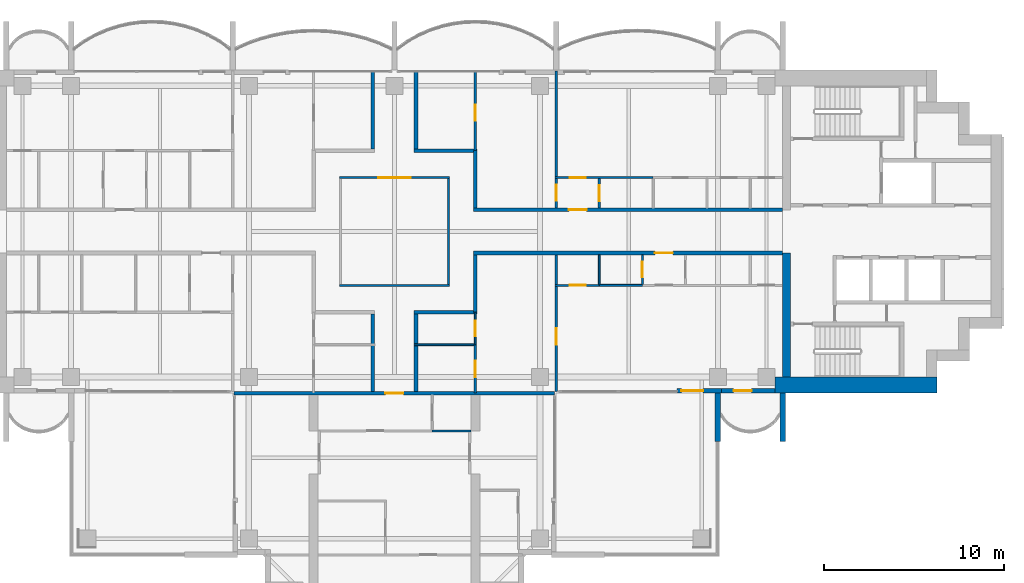
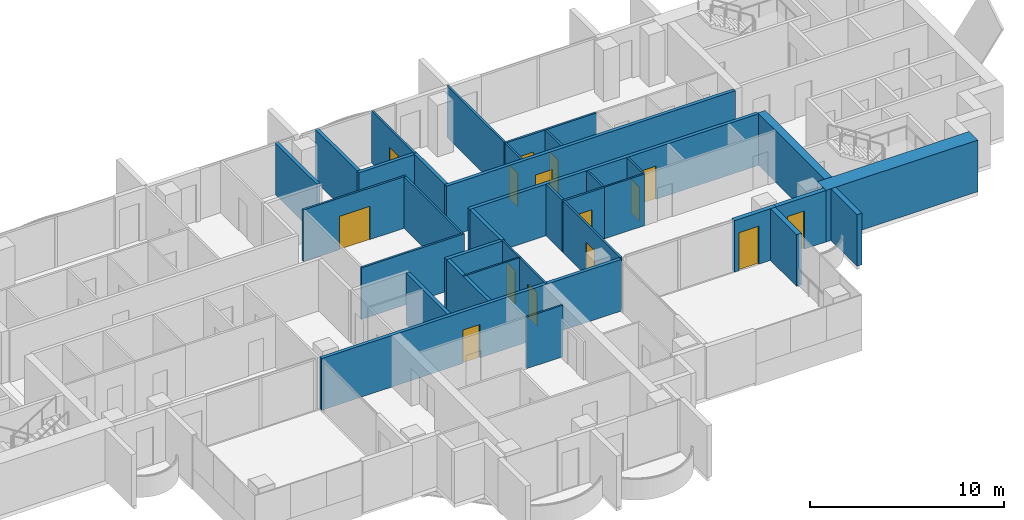
# One storey, part 11 of 17: 33 walls, 15 doors, 15 openings.
"""IFC4 building model written with IfcOpenShell, lengths in metres."""

from ifc_helpers import new_model, si_unit, direction, frame, frame_2d, origin, place, context, subcontext, project, spatial, rectangle, extrude, material, layer, layer_set, type_object, element, fill, save


model = new_model("IFC4")

# Units and contexts
model_context = context("Model", 3, precision=1e-05, world=origin(), true_north=direction((0.0, 1.0)))
body_context = subcontext(model_context, "Body", "Model", "MODEL_VIEW")
ifc_project = project(units=[si_unit("LENGTHUNIT", "METRE"), si_unit("AREAUNIT", "SQUARE_METRE"), si_unit("VOLUMEUNIT", "CUBIC_METRE"), si_unit("PLANEANGLEUNIT", "RADIAN"), si_unit("MASSUNIT", "GRAM", prefix="KILO")], contexts=[model_context])

# Site, building, storey
site_placement = place(None, origin())
site = spatial("IfcSite", under=ifc_project, at=site_placement, CompositionType="ELEMENT")
building_placement = place(site_placement, origin())
building = spatial("IfcBuilding", under=site, at=building_placement, Name="Perihelion Cross Residences", CompositionType="ELEMENT")
storey_placement = place(building_placement, frame((0.0, 0.0, 191.10009765625)))
storey = spatial("IfcBuildingStorey", under=building, at=storey_placement, Name="L47", CompositionType="ELEMENT", Elevation=191.10009765625)

# Wall, opening, door
ifc_material_1 = material(Name="Plasterboard partition")
ifc_layer_1 = layer(ifc_material_1, 0.199951171875)
ifc_layer_set_1 = layer_set([ifc_layer_1], Name="Apartment separation wall 200")
wall_type_1 = type_object("IfcWallType", Name="Apartment separation wall 200", PredefinedType="PARTITIONING", material=ifc_layer_set_1)
wall_1_placement = place(storey_placement, frame((4.39990234375, 1.199951171875, 0.0), z_axis=(0.0, 0.0, 1.0), x_axis=(1.0, 0.0, 0.0)))
wall_1 = element("IfcWall", 1, at=wall_1_placement, inside=storey, type_object=wall_type_1, Name="Partition L47 W005", PredefinedType="PARTITIONING", context=body_context, shape_type="SweptSolid", body=[
    extrude(rectangle(XDim=17.2001953125, YDim=0.199951171875, at=frame_2d((8.60009765625, 0.0))), origin(), (0.0, 0.0, 1.0), 3.25),
])
opening_1_placement = place(wall_1_placement, frame((5.300048828125, 0.0, 0.0)))
opening_1 = element("IfcOpeningElement", 2, at=opening_1_placement, cuts=wall_1, Name="Opening L47.A38", PredefinedType="OPENING", context=body_context, shape_type="SweptSolid", body=[
    extrude(rectangle(XDim=1.0, YDim=2.10009765625, at=frame_2d((0.5, 1.050048828125))), frame((0.0, 0.10986328125, 0.0), z_axis=(0.0, -1.0, 0.0), x_axis=(1.0, 0.0, 0.0)), (0.0, 0.0, 1.0), 0.219970703125),
])
ifc_material_2 = material(Name="Timber door leaf", Category="wood")
door_type_1 = type_object("IfcDoorType", Name="Flat entrance door 1000 x 2100", OperationType="SINGLE_SWING_LEFT", PredefinedType="DOOR", material=ifc_material_2)
door_1_placement = place(opening_1_placement, origin())
door_1 = element("IfcDoor", 3, at=door_1_placement, inside=storey, type_object=door_type_1, Name="Door L47.A38", OperationType="SINGLE_SWING_LEFT", OverallHeight=2.10009765625, OverallWidth=1.0, PredefinedType="DOOR", context=body_context, shape_type="SweptSolid", body=[
    extrude(rectangle(XDim=1.0, YDim=2.10009765625, at=frame_2d((0.5, 1.050048828125))), frame((0.0, 0.02490234375, 0.0), z_axis=(0.0, -1.0, 0.0), x_axis=(1.0, 0.0, 0.0)), (0.0, 0.0, 1.0), 0.050048828125),
])
fill(opening_1, door_1)

# Walls
wall_2_placement = place(storey_placement, frame((4.5, 4.5, 0.0), z_axis=(0.0, 0.0, 1.0), x_axis=(0.0, -1.0, 0.0)))
element("IfcWall", 4, at=wall_2_placement, inside=storey, type_object=wall_type_1, Name="Partition L47 W006", PredefinedType="PARTITIONING", context=body_context, shape_type="SweptSolid", body=[
    extrude(rectangle(XDim=3.199951171875, YDim=0.199951171875, at=frame_2d((1.60009765625, 0.0))), origin(), (0.0, 0.0, 1.0), 3.25),
])
wall_3_placement = place(storey_placement, frame((1.199951171875, 8.919921875, 0.0), z_axis=(0.0, 0.0, 1.0), x_axis=(0.0, -1.0, 0.0)))
element("IfcWall", 5, at=wall_3_placement, inside=storey, type_object=wall_type_1, Name="Partition L47 W007", PredefinedType="PARTITIONING", context=body_context, shape_type="SweptSolid", body=[
    extrude(rectangle(XDim=4.31982421875, YDim=0.199951171875, at=frame_2d((2.159912109375, 0.0))), origin(), (0.0, 0.0, 1.0), 3.25),
])
wall_4_placement = place(storey_placement, frame((1.10009765625, 4.5, 0.0), z_axis=(0.0, 0.0, 1.0), x_axis=(1.0, 0.0, 0.0)))
element("IfcWall", 6, at=wall_4_placement, inside=storey, type_object=wall_type_1, Name="Partition L47 W008", PredefinedType="PARTITIONING", context=body_context, shape_type="SweptSolid", body=[
    extrude(rectangle(XDim=3.5, YDim=0.199951171875, at=frame_2d((1.75, 0.0))), origin(), (0.0, 0.0, 1.0), 3.25),
])

# Wall, opening, door
wall_5_placement = place(storey_placement, frame((21.60009765625, -1.199951171875, 0.0), z_axis=(0.0, 0.0, 1.0), x_axis=(-1.0, 0.0, 0.0)))
wall_5 = element("IfcWall", 7, at=wall_5_placement, inside=storey, type_object=wall_type_1, Name="Partition L47 W009", PredefinedType="PARTITIONING", context=body_context, shape_type="SweptSolid", body=[
    extrude(rectangle(XDim=17.2001953125, YDim=0.199951171875, at=frame_2d((8.60009765625, 0.0))), origin(), (0.0, 0.0, 1.0), 3.25),
])
opening_2_placement = place(wall_5_placement, frame((6.10009765625, 0.0, 0.0)))
opening_2 = element("IfcOpeningElement", 8, at=opening_2_placement, cuts=wall_5, Name="Opening L47.A39", PredefinedType="OPENING", context=body_context, shape_type="SweptSolid", body=[
    extrude(rectangle(XDim=1.0, YDim=2.10009765625, at=frame_2d((0.5, 1.050048828125))), frame((0.0, 0.10986328125, 0.0), z_axis=(0.0, -1.0, 0.0), x_axis=(1.0, 0.0, 0.0)), (0.0, 0.0, 1.0), 0.219970703125),
])
door_2_placement = place(opening_2_placement, origin())
door_2 = element("IfcDoor", 9, at=door_2_placement, inside=storey, type_object=door_type_1, Name="Door L47.A39", OperationType="SINGLE_SWING_LEFT", OverallHeight=2.10009765625, OverallWidth=1.0, PredefinedType="DOOR", context=body_context, shape_type="SweptSolid", body=[
    extrude(rectangle(XDim=1.0, YDim=2.10009765625, at=frame_2d((0.5, 1.050048828125))), frame((0.0, 0.02490234375, 0.0), z_axis=(0.0, -1.0, 0.0), x_axis=(1.0, 0.0, 0.0)), (0.0, 0.0, 1.0), 0.050048828125),
])
fill(opening_2, door_2)

# Walls
wall_6_placement = place(storey_placement, frame((4.5, -1.300048828125, 0.0), z_axis=(0.0, 0.0, 1.0), x_axis=(0.0, -1.0, 0.0)))
element("IfcWall", 10, at=wall_6_placement, inside=storey, type_object=wall_type_1, Name="Partition L47 W010", PredefinedType="PARTITIONING", context=body_context, shape_type="SweptSolid", body=[
    extrude(rectangle(XDim=3.199951171875, YDim=0.199951171875, at=frame_2d((1.60009765625, 0.0))), origin(), (0.0, 0.0, 1.0), 3.25),
])
wall_7_placement = place(storey_placement, frame((4.60009765625, -4.5, 0.0), z_axis=(0.0, 0.0, 1.0), x_axis=(-1.0, 0.0, 0.0)))
element("IfcWall", 11, at=wall_7_placement, inside=storey, type_object=wall_type_1, Name="Partition L47 W011", PredefinedType="PARTITIONING", context=body_context, shape_type="SweptSolid", body=[
    extrude(rectangle(XDim=3.5, YDim=0.199951171875, at=frame_2d((1.75, 0.0))), origin(), (0.0, 0.0, 1.0), 3.25),
])
wall_8_placement = place(storey_placement, frame((1.199951171875, -4.60009765625, 0.0), z_axis=(0.0, 0.0, 1.0), x_axis=(0.0, -1.0, 0.0)))
element("IfcWall", 12, at=wall_8_placement, inside=storey, type_object=wall_type_1, Name="Partition L47 W012", PredefinedType="PARTITIONING", context=body_context, shape_type="SweptSolid", body=[
    extrude(rectangle(XDim=4.2998046875, YDim=0.199951171875, at=frame_2d((2.14990234375, 0.0))), origin(), (0.0, 0.0, 1.0), 3.25),
])
wall_9_placement = place(storey_placement, frame((-1.199951171875, 4.60009765625, 0.0), z_axis=(0.0, 0.0, 1.0), x_axis=(0.0, 1.0, 0.0)))
element("IfcWall", 13, at=wall_9_placement, inside=storey, type_object=wall_type_1, Name="Partition L47 W016", PredefinedType="PARTITIONING", context=body_context, shape_type="SweptSolid", body=[
    extrude(rectangle(XDim=4.31982421875, YDim=0.199951171875, at=frame_2d((2.159912109375, 0.0))), origin(), (0.0, 0.0, 1.0), 3.25),
])
wall_10_placement = place(storey_placement, frame((-1.199951171875, -8.89990234375, 0.0), z_axis=(0.0, 0.0, 1.0), x_axis=(0.0, 1.0, 0.0)))
element("IfcWall", 14, at=wall_10_placement, inside=storey, type_object=wall_type_1, Name="Partition L47 W019", PredefinedType="PARTITIONING", context=body_context, shape_type="SweptSolid", body=[
    extrude(rectangle(XDim=4.2998046875, YDim=0.199951171875, at=frame_2d((2.14990234375, 0.0))), origin(), (0.0, 0.0, 1.0), 3.25),
])

# Wall, opening, door
wall_11_placement = place(storey_placement, frame((8.919921875, -9.0, 0.0), z_axis=(0.0, 0.0, 1.0), x_axis=(-1.0, 0.0, 0.0)))
wall_11 = element("IfcWall", 15, at=wall_11_placement, inside=storey, type_object=wall_type_1, Name="Partition L47 W021", PredefinedType="PARTITIONING", context=body_context, shape_type="SweptSolid", body=[
    extrude(rectangle(XDim=17.83984375, YDim=0.199951171875, at=frame_2d((8.919921875, 0.0))), origin(), (0.0, 0.0, 1.0), 3.25),
])
opening_3_placement = place(wall_11_placement, frame((8.419921875, 0.0, 0.0)))
opening_3 = element("IfcOpeningElement", 16, at=opening_3_placement, cuts=wall_11, Name="Opening L47.A32", PredefinedType="OPENING", context=body_context, shape_type="SweptSolid", body=[
    extrude(rectangle(XDim=1.0, YDim=2.10009765625, at=frame_2d((0.5, 1.050048828125))), frame((0.0, 0.10986328125, 0.0), z_axis=(0.0, -1.0, 0.0), x_axis=(1.0, 0.0, 0.0)), (0.0, 0.0, 1.0), 0.219970703125),
])
door_3_placement = place(opening_3_placement, origin())
door_3 = element("IfcDoor", 17, at=door_3_placement, inside=storey, type_object=door_type_1, Name="Door L47.A32", OperationType="SINGLE_SWING_RIGHT", OverallHeight=2.10009765625, OverallWidth=1.0, PredefinedType="DOOR", context=body_context, shape_type="SweptSolid", body=[
    extrude(rectangle(XDim=1.0, YDim=2.10009765625, at=frame_2d((0.5, 1.050048828125))), frame((0.0, 0.02490234375, 0.0), z_axis=(0.0, -1.0, 0.0), x_axis=(1.0, 0.0, 0.0)), (0.0, 0.0, 1.0), 0.050048828125),
])
fill(opening_3, door_3)

ifc_material_3 = material(Name="Concrete C30/37, bronze-clad", Category="concrete")
ifc_layer_2 = layer(ifc_material_3, 0.25)
ifc_layer_set_2 = layer_set([ifc_layer_2], Name="Bronze-clad pier wall 250")
wall_type_2 = type_object("IfcWallType", Name="Bronze-clad pier wall 250", PredefinedType="SOLIDWALL", material=ifc_layer_set_2)
wall_12_placement = place(storey_placement, frame((15.72509765625, -8.875, 0.0), z_axis=(0.0, 0.0, 1.0), x_axis=(1.0, 0.0, 0.0)))
wall_12 = element("IfcWall", 18, at=wall_12_placement, inside=storey, type_object=wall_type_2, Name="Wall FW1 L47 east side south bay 1 pier", PredefinedType="SOLIDWALL", context=body_context, shape_type="SweptSolid", body=[
    extrude(rectangle(XDim=2.474853515625, YDim=0.25, at=frame_2d((1.2373046875, 0.0))), origin(), (0.0, 0.0, 1.0), 3.25),
])
opening_4_placement = place(wall_12_placement, frame((0.25, 0.0, 0.0)))
opening_4 = element("IfcOpeningElement", 19, at=opening_4_placement, cuts=wall_12, Name="Opening L47.E13", PredefinedType="OPENING", context=body_context, shape_type="SweptSolid", body=[
    extrude(rectangle(XDim=1.199951171875, YDim=2.39990234375, at=frame_2d((0.60009765625, 1.199951171875))), frame((0.0, 0.135009765625, 0.0), z_axis=(0.0, -1.0, 0.0), x_axis=(1.0, 0.0, 0.0)), (0.0, 0.0, 1.0), 0.27001953125),
])
ifc_material_4 = material(Name="Bronze anodised aluminium, glazed", Category="aluminium")
door_type_2 = type_object("IfcDoorType", Name="Balcony door 1200 x 2400", OperationType="NOTDEFINED", PredefinedType="DOOR", material=ifc_material_4)
door_4_placement = place(opening_4_placement, origin())
door_4 = element("IfcDoor", 20, at=door_4_placement, inside=storey, type_object=door_type_2, Name="Door L47.E13 east side south bay 1", OperationType="SINGLE_SWING_LEFT", OverallHeight=2.39990234375, OverallWidth=1.199951171875, PredefinedType="DOOR", context=body_context, shape_type="SweptSolid", body=[
    extrude(rectangle(XDim=1.199951171875, YDim=2.39990234375, at=frame_2d((0.60009765625, 1.199951171875))), frame((0.0, 0.02490234375, 0.0), z_axis=(0.0, -1.0, 0.0), x_axis=(1.0, 0.0, 0.0)), (0.0, 0.0, 1.0), 0.050048828125),
])
fill(opening_4, door_4)

wall_13_placement = place(storey_placement, frame((18.199951171875, -8.875, 0.0), z_axis=(0.0, 0.0, 1.0), x_axis=(1.0, 0.0, 0.0)))
wall_13 = element("IfcWall", 21, at=wall_13_placement, inside=storey, type_object=wall_type_2, Name="Wall FW1 L47 east side south bay 2 pier", PredefinedType="SOLIDWALL", context=body_context, shape_type="SweptSolid", body=[
    extrude(rectangle(XDim=2.97509765625, YDim=0.25, at=frame_2d((1.487548828125, 0.0))), origin(), (0.0, 0.0, 1.0), 3.25),
])
opening_5_placement = place(wall_13_placement, frame((0.675048828125, 0.0, 0.0)))
opening_5 = element("IfcOpeningElement", 22, at=opening_5_placement, cuts=wall_13, Name="Opening L47.E14", PredefinedType="OPENING", context=body_context, shape_type="SweptSolid", body=[
    extrude(rectangle(XDim=1.0, YDim=2.39990234375, at=frame_2d((0.5, 1.199951171875))), frame((0.0, 0.135009765625, 0.0), z_axis=(0.0, -1.0, 0.0), x_axis=(1.0, 0.0, 0.0)), (0.0, 0.0, 1.0), 0.27001953125),
])
ifc_material_5 = material(Name="Bronze anodised aluminium, glazed", Category="aluminium")
door_type_3 = type_object("IfcDoorType", Name="Balcony door 1000 x 2400", OperationType="NOTDEFINED", PredefinedType="DOOR", material=ifc_material_5)
door_5_placement = place(opening_5_placement, origin())
door_5 = element("IfcDoor", 23, at=door_5_placement, inside=storey, type_object=door_type_3, Name="Door L47.E14 east side south bay 2", OperationType="SINGLE_SWING_RIGHT", OverallHeight=2.39990234375, OverallWidth=1.0, PredefinedType="DOOR", context=body_context, shape_type="SweptSolid", body=[
    extrude(rectangle(XDim=1.0, YDim=2.39990234375, at=frame_2d((0.5, 1.199951171875))), frame((0.0, 0.02490234375, 0.0), z_axis=(0.0, -1.0, 0.0), x_axis=(1.0, 0.0, 0.0)), (0.0, 0.0, 1.0), 0.050048828125),
])
fill(opening_5, door_5)

# Walls
ifc_material_6 = material(Name="Concrete C60/75", Category="concrete")
ifc_layer_3 = layer(ifc_material_6, 0.449951171875)
ifc_layer_set_3 = layer_set([ifc_layer_3], Name="Core wall, inner 450")
wall_type_3 = type_object("IfcWallType", Name="Core wall, inner 450", PredefinedType="SHEAR", material=ifc_layer_set_3)
wall_14_placement = place(storey_placement, frame((21.824951171875, -8.10009765625, 0.0), z_axis=(0.0, 0.0, 1.0), x_axis=(0.0, 1.0, 0.0)))
element("IfcWall", 24, at=wall_14_placement, inside=storey, type_object=wall_type_3, Name="East core core wall, inner", PredefinedType="SHEAR", context=body_context, shape_type="SweptSolid", body=[
    extrude(rectangle(XDim=6.900146484375, YDim=0.449951171875, at=frame_2d((3.4501953125, 0.0))), origin(), (0.0, 0.0, 1.0), 3.25),
])
ifc_material_7 = material(Name="Concrete C60/75", Category="concrete")
ifc_layer_4 = layer(ifc_material_7, 0.89990234375)
ifc_layer_set_4 = layer_set([ifc_layer_4], Name="Core wall, outer 900")
wall_type_4 = type_object("IfcWallType", Name="Core wall, outer 900", PredefinedType="SHEAR", material=ifc_layer_set_4)
wall_15_placement = place(storey_placement, frame((21.175048828125, -8.550048828125, 0.0), z_axis=(0.0, 0.0, 1.0), x_axis=(1.0, 0.0, 0.0)))
element("IfcWall", 25, at=wall_15_placement, inside=storey, type_object=wall_type_4, Name="East core core wall, outer", PredefinedType="SHEAR", context=body_context, shape_type="SweptSolid", body=[
    extrude(rectangle(XDim=9.02490234375, YDim=0.89990234375, at=frame_2d((4.512451171875, 0.0))), origin(), (0.0, 0.0, 1.0), 3.25),
])
ifc_material_8 = material(Name="Plasterboard partition")
ifc_layer_5 = layer(ifc_material_8, 0.1201171875)
ifc_layer_set_5 = layer_set([ifc_layer_5], Name="Partition wall 120")
wall_type_5 = type_object("IfcWallType", Name="Partition wall 120", PredefinedType="PARTITIONING", material=ifc_layer_set_5)
wall_16_placement = place(storey_placement, frame((-3.06005859375, -3.0, 0.0), z_axis=(0.0, 0.0, 1.0), x_axis=(1.0, 0.0, 0.0)))
element("IfcWall", 26, at=wall_16_placement, inside=storey, type_object=wall_type_5, Name="Partition L47 W001", PredefinedType="PARTITIONING", context=body_context, shape_type="SweptSolid", body=[
    extrude(rectangle(XDim=6.1201171875, YDim=0.1201171875, at=frame_2d((3.06005859375, 0.0))), origin(), (0.0, 0.0, 1.0), 3.25),
])
wall_17_placement = place(storey_placement, frame((3.0, -2.93994140625, 0.0), z_axis=(0.0, 0.0, 1.0), x_axis=(0.0, 1.0, 0.0)))
element("IfcWall", 27, at=wall_17_placement, inside=storey, type_object=wall_type_5, Name="Partition L47 W002", PredefinedType="PARTITIONING", context=body_context, shape_type="SweptSolid", body=[
    extrude(rectangle(XDim=5.8798828125, YDim=0.1201171875, at=frame_2d((2.93994140625, 0.0))), origin(), (0.0, 0.0, 1.0), 3.25),
])

# Wall, opening, door
wall_18_placement = place(storey_placement, frame((3.06005859375, 3.0, 0.0), z_axis=(0.0, 0.0, 1.0), x_axis=(-1.0, 0.0, 0.0)))
wall_18 = element("IfcWall", 28, at=wall_18_placement, inside=storey, type_object=wall_type_5, Name="Partition L47 W003", PredefinedType="PARTITIONING", context=body_context, shape_type="SweptSolid", body=[
    extrude(rectangle(XDim=6.1201171875, YDim=0.1201171875, at=frame_2d((3.06005859375, 0.0))), origin(), (0.0, 0.0, 1.0), 3.25),
])
opening_6_placement = place(wall_18_placement, frame((2.159912109375, 0.0, 0.0)))
opening_6 = element("IfcOpeningElement", 29, at=opening_6_placement, cuts=wall_18, Name="Opening L47.A01", PredefinedType="OPENING", context=body_context, shape_type="SweptSolid", body=[
    extrude(rectangle(XDim=1.800048828125, YDim=2.10009765625, at=frame_2d((0.89990234375, 1.050048828125))), frame((0.0, 0.070068359375, 0.0), z_axis=(0.0, -1.0, 0.0), x_axis=(1.0, 0.0, 0.0)), (0.0, 0.0, 1.0), 0.14013671875),
])
ifc_material_9 = material(Name="Glazed timber door leaf", Category="wood")
door_type_4 = type_object("IfcDoorType", Name="Interior double leaf door 1800 x 2100", OperationType="DOUBLE_DOOR_SINGLE_SWING", PredefinedType="DOOR", material=ifc_material_9)
door_6_placement = place(opening_6_placement, origin())
door_6 = element("IfcDoor", 30, at=door_6_placement, inside=storey, type_object=door_type_4, Name="Door L47.A01", OperationType="SINGLE_SWING_LEFT", OverallHeight=2.10009765625, OverallWidth=1.800048828125, PredefinedType="DOOR", context=body_context, shape_type="SweptSolid", body=[
    extrude(rectangle(XDim=1.800048828125, YDim=2.10009765625, at=frame_2d((0.89990234375, 1.050048828125))), frame((0.0, 0.02490234375, 0.0), z_axis=(0.0, -1.0, 0.0), x_axis=(1.0, 0.0, 0.0)), (0.0, 0.0, 1.0), 0.050048828125),
])
fill(opening_6, door_6)

wall_19_placement = place(storey_placement, frame((11.39990234375, 2.93994140625, 0.0), z_axis=(0.0, 0.0, 1.0), x_axis=(0.0, -1.0, 0.0)))
wall_19 = element("IfcWall", 31, at=wall_19_placement, inside=storey, type_object=wall_type_5, Name="Partition L47 W022", PredefinedType="PARTITIONING", context=body_context, shape_type="SweptSolid", body=[
    extrude(rectangle(XDim=1.639892578125, YDim=0.1201171875, at=frame_2d((0.81982421875, 0.0))), origin(), (0.0, 0.0, 1.0), 3.25),
])
opening_7_placement = place(wall_19_placement, frame((0.3701171875, 0.0, 0.0)))
opening_7 = element("IfcOpeningElement", 32, at=opening_7_placement, cuts=wall_19, Name="Opening L47.A04", PredefinedType="OPENING", context=body_context, shape_type="SweptSolid", body=[
    extrude(rectangle(XDim=0.89990234375, YDim=2.10009765625, at=frame_2d((0.449951171875, 1.050048828125))), frame((0.0, 0.070068359375, 0.0), z_axis=(0.0, -1.0, 0.0), x_axis=(1.0, 0.0, 0.0)), (0.0, 0.0, 1.0), 0.14013671875),
])
ifc_material_10 = material(Name="Timber door leaf", Category="wood")
door_type_5 = type_object("IfcDoorType", Name="Interior room door 900 x 2100", OperationType="SINGLE_SWING_LEFT", PredefinedType="DOOR", material=ifc_material_10)
door_7_placement = place(opening_7_placement, origin())
door_7 = element("IfcDoor", 33, at=door_7_placement, inside=storey, type_object=door_type_5, Name="Door L47.A04", OperationType="SINGLE_SWING_RIGHT", OverallHeight=2.10009765625, OverallWidth=0.89990234375, PredefinedType="DOOR", context=body_context, shape_type="SweptSolid", body=[
    extrude(rectangle(XDim=0.89990234375, YDim=2.10009765625, at=frame_2d((0.449951171875, 1.050048828125))), frame((0.0, 0.02490234375, 0.0), z_axis=(0.0, -1.0, 0.0), x_axis=(1.0, 0.0, 0.0)), (0.0, 0.0, 1.0), 0.050048828125),
])
fill(opening_7, door_7)

wall_20_placement = place(storey_placement, frame((8.93994140625, 3.0, 0.0), z_axis=(0.0, 0.0, 1.0), x_axis=(1.0, 0.0, 0.0)))
wall_20 = element("IfcWall", 34, at=wall_20_placement, inside=storey, type_object=wall_type_5, Name="Partition L47 W023", PredefinedType="PARTITIONING", context=body_context, shape_type="SweptSolid", body=[
    extrude(rectangle(XDim=5.4599609375, YDim=0.1201171875, at=frame_2d((2.72998046875, 0.0))), origin(), (0.0, 0.0, 1.0), 3.25),
])
opening_8_placement = place(wall_20_placement, frame((0.81005859375, 0.0, 0.0)))
opening_8 = element("IfcOpeningElement", 35, at=opening_8_placement, cuts=wall_20, Name="Opening L47.A06", PredefinedType="OPENING", context=body_context, shape_type="SweptSolid", body=[
    extrude(rectangle(XDim=0.89990234375, YDim=2.10009765625, at=frame_2d((0.449951171875, 1.050048828125))), frame((0.0, 0.070068359375, 0.0), z_axis=(0.0, -1.0, 0.0), x_axis=(1.0, 0.0, 0.0)), (0.0, 0.0, 1.0), 0.14013671875),
])
door_8_placement = place(opening_8_placement, origin())
door_8 = element("IfcDoor", 36, at=door_8_placement, inside=storey, type_object=door_type_5, Name="Door L47.A06", OperationType="SINGLE_SWING_LEFT", OverallHeight=2.10009765625, OverallWidth=0.89990234375, PredefinedType="DOOR", context=body_context, shape_type="SweptSolid", body=[
    extrude(rectangle(XDim=0.89990234375, YDim=2.10009765625, at=frame_2d((0.449951171875, 1.050048828125))), frame((0.0, 0.02490234375, 0.0), z_axis=(0.0, -1.0, 0.0), x_axis=(1.0, 0.0, 0.0)), (0.0, 0.0, 1.0), 0.050048828125),
])
fill(opening_8, door_8)

wall_21_placement = place(storey_placement, frame((9.0, 1.300048828125, 0.0), z_axis=(0.0, 0.0, 1.0), x_axis=(0.0, 1.0, 0.0)))
wall_21 = element("IfcWall", 37, at=wall_21_placement, inside=storey, type_object=wall_type_5, Name="Partition L47 W024", PredefinedType="PARTITIONING", context=body_context, shape_type="SweptSolid", body=[
    extrude(rectangle(XDim=7.619873046875, YDim=0.1201171875, at=frame_2d((3.81005859375, 0.0))), origin(), (0.0, 0.0, 1.0), 3.25),
])
opening_9_placement = place(wall_21_placement, frame((0.39990234375, 0.0, 0.0)))
opening_9 = element("IfcOpeningElement", 38, at=opening_9_placement, cuts=wall_21, Name="Opening L47.A07", PredefinedType="OPENING", context=body_context, shape_type="SweptSolid", body=[
    extrude(rectangle(XDim=0.89990234375, YDim=2.10009765625, at=frame_2d((0.449951171875, 1.050048828125))), frame((0.0, 0.070068359375, 0.0), z_axis=(0.0, -1.0, 0.0), x_axis=(1.0, 0.0, 0.0)), (0.0, 0.0, 1.0), 0.14013671875),
])
door_9_placement = place(opening_9_placement, origin())
door_9 = element("IfcDoor", 39, at=door_9_placement, inside=storey, type_object=door_type_5, Name="Door L47.A07", OperationType="SINGLE_SWING_LEFT", OverallHeight=2.10009765625, OverallWidth=0.89990234375, PredefinedType="DOOR", context=body_context, shape_type="SweptSolid", body=[
    extrude(rectangle(XDim=0.89990234375, YDim=2.10009765625, at=frame_2d((0.449951171875, 1.050048828125))), frame((0.0, 0.02490234375, 0.0), z_axis=(0.0, -1.0, 0.0), x_axis=(1.0, 0.0, 0.0)), (0.0, 0.0, 1.0), 0.050048828125),
])
fill(opening_9, door_9)

wall_22_placement = place(storey_placement, frame((4.5, 4.5, 0.0), z_axis=(0.0, 0.0, 1.0), x_axis=(0.0, 1.0, 0.0)))
wall_22 = element("IfcWall", 40, at=wall_22_placement, inside=storey, type_object=wall_type_5, Name="Partition L47 W031", PredefinedType="PARTITIONING", context=body_context, shape_type="SweptSolid", body=[
    extrude(rectangle(XDim=4.419921875, YDim=0.1201171875, at=frame_2d((2.2099609375, 0.0))), origin(), (0.0, 0.0, 1.0), 3.25),
])
opening_10_placement = place(wall_22_placement, frame((1.64990234375, 0.0, 0.0)))
opening_10 = element("IfcOpeningElement", 41, at=opening_10_placement, cuts=wall_22, Name="Opening L47.A03", PredefinedType="OPENING", context=body_context, shape_type="SweptSolid", body=[
    extrude(rectangle(XDim=0.89990234375, YDim=2.10009765625, at=frame_2d((0.449951171875, 1.050048828125))), frame((0.0, 0.070068359375, 0.0), z_axis=(0.0, -1.0, 0.0), x_axis=(1.0, 0.0, 0.0)), (0.0, 0.0, 1.0), 0.14013671875),
])
door_10_placement = place(opening_10_placement, origin())
door_10 = element("IfcDoor", 42, at=door_10_placement, inside=storey, type_object=door_type_5, Name="Door L47.A03", OperationType="SINGLE_SWING_LEFT", OverallHeight=2.10009765625, OverallWidth=0.89990234375, PredefinedType="DOOR", context=body_context, shape_type="SweptSolid", body=[
    extrude(rectangle(XDim=0.89990234375, YDim=2.10009765625, at=frame_2d((0.449951171875, 1.050048828125))), frame((0.0, 0.02490234375, 0.0), z_axis=(0.0, -1.0, 0.0), x_axis=(1.0, 0.0, 0.0)), (0.0, 0.0, 1.0), 0.050048828125),
])
fill(opening_10, door_10)

wall_23_placement = place(storey_placement, frame((11.39990234375, -3.0, 0.0), z_axis=(0.0, 0.0, 1.0), x_axis=(-1.0, 0.0, 0.0)))
wall_23 = element("IfcWall", 43, at=wall_23_placement, inside=storey, type_object=wall_type_5, Name="Partition L47 W033", PredefinedType="PARTITIONING", context=body_context, shape_type="SweptSolid", body=[
    extrude(rectangle(XDim=2.4599609375, YDim=0.1201171875, at=frame_2d((1.22998046875, 0.0))), origin(), (0.0, 0.0, 1.0), 3.25),
])
opening_11_placement = place(wall_23_placement, frame((0.75, 0.0, 0.0)))
opening_11 = element("IfcOpeningElement", 44, at=opening_11_placement, cuts=wall_23, Name="Opening L47.A16", PredefinedType="OPENING", context=body_context, shape_type="SweptSolid", body=[
    extrude(rectangle(XDim=0.89990234375, YDim=2.10009765625, at=frame_2d((0.449951171875, 1.050048828125))), frame((0.0, 0.070068359375, 0.0), z_axis=(0.0, -1.0, 0.0), x_axis=(1.0, 0.0, 0.0)), (0.0, 0.0, 1.0), 0.14013671875),
])
door_11_placement = place(opening_11_placement, origin())
door_11 = element("IfcDoor", 45, at=door_11_placement, inside=storey, type_object=door_type_5, Name="Door L47.A16", OperationType="SINGLE_SWING_RIGHT", OverallHeight=2.10009765625, OverallWidth=0.89990234375, PredefinedType="DOOR", context=body_context, shape_type="SweptSolid", body=[
    extrude(rectangle(XDim=0.89990234375, YDim=2.10009765625, at=frame_2d((0.449951171875, 1.050048828125))), frame((0.0, 0.02490234375, 0.0), z_axis=(0.0, -1.0, 0.0), x_axis=(1.0, 0.0, 0.0)), (0.0, 0.0, 1.0), 0.050048828125),
])
fill(opening_11, door_11)

wall_24_placement = place(storey_placement, frame((9.0, -8.919921875, 0.0), z_axis=(0.0, 0.0, 1.0), x_axis=(0.0, 1.0, 0.0)))
wall_24 = element("IfcWall", 46, at=wall_24_placement, inside=storey, type_object=wall_type_5, Name="Partition L47 W034", PredefinedType="PARTITIONING", context=body_context, shape_type="SweptSolid", body=[
    extrude(rectangle(XDim=7.619873046875, YDim=0.1201171875, at=frame_2d((3.81005859375, 0.0))), origin(), (0.0, 0.0, 1.0), 3.25),
])
opening_12_placement = place(wall_24_placement, frame((2.6201171875, 0.0, 0.0)))
opening_12 = element("IfcOpeningElement", 47, at=opening_12_placement, cuts=wall_24, Name="Opening L47.A12", PredefinedType="OPENING", context=body_context, shape_type="SweptSolid", body=[
    extrude(rectangle(XDim=0.89990234375, YDim=2.10009765625, at=frame_2d((0.449951171875, 1.050048828125))), frame((0.0, 0.070068359375, 0.0), z_axis=(0.0, -1.0, 0.0), x_axis=(1.0, 0.0, 0.0)), (0.0, 0.0, 1.0), 0.14013671875),
])
door_12_placement = place(opening_12_placement, origin())
door_12 = element("IfcDoor", 48, at=door_12_placement, inside=storey, type_object=door_type_5, Name="Door L47.A12", OperationType="SINGLE_SWING_RIGHT", OverallHeight=2.10009765625, OverallWidth=0.89990234375, PredefinedType="DOOR", context=body_context, shape_type="SweptSolid", body=[
    extrude(rectangle(XDim=0.89990234375, YDim=2.10009765625, at=frame_2d((0.449951171875, 1.050048828125))), frame((0.0, 0.02490234375, 0.0), z_axis=(0.0, -1.0, 0.0), x_axis=(1.0, 0.0, 0.0)), (0.0, 0.0, 1.0), 0.050048828125),
])
fill(opening_12, door_12)

wall_25_placement = place(storey_placement, frame((4.5, -9.0, 0.0), z_axis=(0.0, 0.0, 1.0), x_axis=(0.0, 1.0, 0.0)))
wall_25 = element("IfcWall", 49, at=wall_25_placement, inside=storey, type_object=wall_type_5, Name="Partition L47 W041", PredefinedType="PARTITIONING", context=body_context, shape_type="SweptSolid", body=[
    extrude(rectangle(XDim=2.699951171875, YDim=0.1201171875, at=frame_2d((1.35009765625, 0.0))), origin(), (0.0, 0.0, 1.0), 3.25),
])
opening_13_placement = place(wall_25_placement, frame((0.89990234375, 0.0, 0.0)))
opening_13 = element("IfcOpeningElement", 50, at=opening_13_placement, cuts=wall_25, Name="Opening L47.A13", PredefinedType="OPENING", context=body_context, shape_type="SweptSolid", body=[
    extrude(rectangle(XDim=0.89990234375, YDim=2.10009765625, at=frame_2d((0.449951171875, 1.050048828125))), frame((0.0, 0.070068359375, 0.0), z_axis=(0.0, -1.0, 0.0), x_axis=(1.0, 0.0, 0.0)), (0.0, 0.0, 1.0), 0.14013671875),
])
door_13_placement = place(opening_13_placement, origin())
door_13 = element("IfcDoor", 51, at=door_13_placement, inside=storey, type_object=door_type_5, Name="Door L47.A13", OperationType="SINGLE_SWING_RIGHT", OverallHeight=2.10009765625, OverallWidth=0.89990234375, PredefinedType="DOOR", context=body_context, shape_type="SweptSolid", body=[
    extrude(rectangle(XDim=0.89990234375, YDim=2.10009765625, at=frame_2d((0.449951171875, 1.050048828125))), frame((0.0, 0.02490234375, 0.0), z_axis=(0.0, -1.0, 0.0), x_axis=(1.0, 0.0, 0.0)), (0.0, 0.0, 1.0), 0.050048828125),
])
fill(opening_13, door_13)

# Walls
ifc_material_11 = material(Name="Precast concrete C50/60", Category="concrete")
ifc_layer_6 = layer(ifc_material_11, 0.300048828125)
ifc_layer_set_6 = layer_set([ifc_layer_6], Name="Precast concrete C50/60 blade wall 300")
wall_type_6 = type_object("IfcWallType", Name="Precast concrete C50/60 blade wall 300", PredefinedType="SOLIDWALL", material=ifc_layer_set_6)
for number, where, z_axis, x_axis, name in (
    (52, (18.0, -9.0, 0.0), (0.0, 0.0, 1.0), (0.0, -1.0, 0.0), "Wall BL1 L47 no. 10"),
    (53, (21.60009765625, -9.0, 0.0), (0.0, 0.0, 1.0), (0.0, -1.0, 0.0), "Wall BL1 L47 no. 12"),
):
    element("IfcWall", number, at=place(storey_placement, frame(where, z_axis=z_axis, x_axis=x_axis)), inside=storey, type_object=wall_type_6, Name=name, PredefinedType="SOLIDWALL", context=body_context, shape_type="SweptSolid", body=[
        extrude(rectangle(XDim=2.699951171875, YDim=0.300048828125, at=frame_2d((1.35009765625, 0.0))), origin(), (0.0, 0.0, 1.0), 3.25),
    ])
ifc_material_12 = material(Name="Plasterboard partition")
ifc_layer_7 = layer(ifc_material_12, 0.10009765625)
ifc_layer_set_7 = layer_set([ifc_layer_7], Name="Wet room wall 100")
wall_type_7 = type_object("IfcWallType", Name="Wet room wall 100", PredefinedType="PARTITIONING", material=ifc_layer_set_7)
wall_26_placement = place(storey_placement, frame((11.39990234375, -1.300048828125, 0.0), z_axis=(0.0, 0.0, 1.0), x_axis=(0.0, -1.0, 0.0)))
element("IfcWall", 54, at=wall_26_placement, inside=storey, type_object=wall_type_7, Name="Partition L47 W032", PredefinedType="PARTITIONING", context=body_context, shape_type="SweptSolid", body=[
    extrude(rectangle(XDim=1.639892578125, YDim=0.10009765625, at=frame_2d((0.81982421875, 0.0))), origin(), (0.0, 0.0, 1.0), 3.25),
])

# Wall, opening, door
wall_27_placement = place(storey_placement, frame((13.800048828125, -1.300048828125, 0.0), z_axis=(0.0, 0.0, 1.0), x_axis=(0.0, -1.0, 0.0)))
wall_27 = element("IfcWall", 55, at=wall_27_placement, inside=storey, type_object=wall_type_7, Name="Partition L47 W035", PredefinedType="PARTITIONING", context=body_context, shape_type="SweptSolid", body=[
    extrude(rectangle(XDim=1.639892578125, YDim=0.10009765625, at=frame_2d((0.81982421875, 0.0))), origin(), (0.0, 0.0, 1.0), 3.25),
])
opening_14_placement = place(wall_27_placement, frame((0.39501953125, 0.0, 0.0)))
opening_14 = element("IfcOpeningElement", 56, at=opening_14_placement, cuts=wall_27, Name="Opening L47.A09", PredefinedType="OPENING", context=body_context, shape_type="SweptSolid", body=[
    extrude(rectangle(XDim=0.85009765625, YDim=2.10009765625, at=frame_2d((0.425048828125, 1.050048828125))), frame((0.0, 0.06005859375, 0.0), z_axis=(0.0, -1.0, 0.0), x_axis=(1.0, 0.0, 0.0)), (0.0, 0.0, 1.0), 0.1201171875),
])
ifc_material_13 = material(Name="Timber door leaf", Category="wood")
door_type_6 = type_object("IfcDoorType", Name="Interior bathroom door 850 x 2100", OperationType="SINGLE_SWING_LEFT", PredefinedType="DOOR", material=ifc_material_13)
door_14_placement = place(opening_14_placement, origin())
door_14 = element("IfcDoor", 57, at=door_14_placement, inside=storey, type_object=door_type_6, Name="Door L47.A09", OperationType="SINGLE_SWING_RIGHT", OverallHeight=2.10009765625, OverallWidth=0.85009765625, PredefinedType="DOOR", context=body_context, shape_type="SweptSolid", body=[
    extrude(rectangle(XDim=0.85009765625, YDim=2.10009765625, at=frame_2d((0.425048828125, 1.050048828125))), frame((0.0, 0.02490234375, 0.0), z_axis=(0.0, -1.0, 0.0), x_axis=(1.0, 0.0, 0.0)), (0.0, 0.0, 1.0), 0.050048828125),
])
fill(opening_14, door_14)

# Wall
wall_28_placement = place(storey_placement, frame((13.800048828125, -3.0, 0.0), z_axis=(0.0, 0.0, 1.0), x_axis=(-1.0, 0.0, 0.0)))
element("IfcWall", 58, at=wall_28_placement, inside=storey, type_object=wall_type_7, Name="Partition L47 W036", PredefinedType="PARTITIONING", context=body_context, shape_type="SweptSolid", body=[
    extrude(rectangle(XDim=2.400146484375, YDim=0.10009765625, at=frame_2d((1.2001953125, 0.0))), origin(), (0.0, 0.0, 1.0), 3.25),
])

# Wall, opening, door
wall_29_placement = place(storey_placement, frame((4.5, -6.300048828125, 0.0), z_axis=(0.0, 0.0, 1.0), x_axis=(0.0, 1.0, 0.0)))
wall_29 = element("IfcWall", 59, at=wall_29_placement, inside=storey, type_object=wall_type_7, Name="Partition L47 W040", PredefinedType="PARTITIONING", context=body_context, shape_type="SweptSolid", body=[
    extrude(rectangle(XDim=1.800048828125, YDim=0.10009765625, at=frame_2d((0.89990234375, 0.0))), origin(), (0.0, 0.0, 1.0), 3.25),
])
opening_15_placement = place(wall_29_placement, frame((0.47509765625, 0.0, 0.0)))
opening_15 = element("IfcOpeningElement", 60, at=opening_15_placement, cuts=wall_29, Name="Opening L47.A14", PredefinedType="OPENING", context=body_context, shape_type="SweptSolid", body=[
    extrude(rectangle(XDim=0.85009765625, YDim=2.10009765625, at=frame_2d((0.425048828125, 1.050048828125))), frame((0.0, 0.06005859375, 0.0), z_axis=(0.0, -1.0, 0.0), x_axis=(1.0, 0.0, 0.0)), (0.0, 0.0, 1.0), 0.1201171875),
])
door_15_placement = place(opening_15_placement, origin())
door_15 = element("IfcDoor", 61, at=door_15_placement, inside=storey, type_object=door_type_6, Name="Door L47.A14", OperationType="SINGLE_SWING_LEFT", OverallHeight=2.10009765625, OverallWidth=0.85009765625, PredefinedType="DOOR", context=body_context, shape_type="SweptSolid", body=[
    extrude(rectangle(XDim=0.85009765625, YDim=2.10009765625, at=frame_2d((0.425048828125, 1.050048828125))), frame((0.0, 0.02490234375, 0.0), z_axis=(0.0, -1.0, 0.0), x_axis=(1.0, 0.0, 0.0)), (0.0, 0.0, 1.0), 0.050048828125),
])
fill(opening_15, door_15)

# Walls
wall_30_placement = place(storey_placement, frame((4.56005859375, -6.300048828125, 0.0), z_axis=(0.0, 0.0, 1.0), x_axis=(-1.0, 0.0, 0.0)))
element("IfcWall", 62, at=wall_30_placement, inside=storey, type_object=wall_type_7, Name="Partition L47 W042", PredefinedType="PARTITIONING", context=body_context, shape_type="SweptSolid", body=[
    extrude(rectangle(XDim=3.4599609375, YDim=0.10009765625, at=frame_2d((1.72998046875, 0.0))), origin(), (0.0, 0.0, 1.0), 3.25),
])
wall_31_placement = place(storey_placement, frame((4.25, -11.10009765625, 0.0), z_axis=(0.0, 0.0, 1.0), x_axis=(-1.0, 0.0, 0.0)))
element("IfcWall", 63, at=wall_31_placement, inside=storey, type_object=wall_type_7, Name="Partition L47 W066", PredefinedType="PARTITIONING", context=body_context, shape_type="SweptSolid", body=[
    extrude(rectangle(XDim=2.14990234375, YDim=0.10009765625, at=frame_2d((1.074951171875, 0.0))), origin(), (0.0, 0.0, 1.0), 3.25),
])

save(model, "model.ifc")
